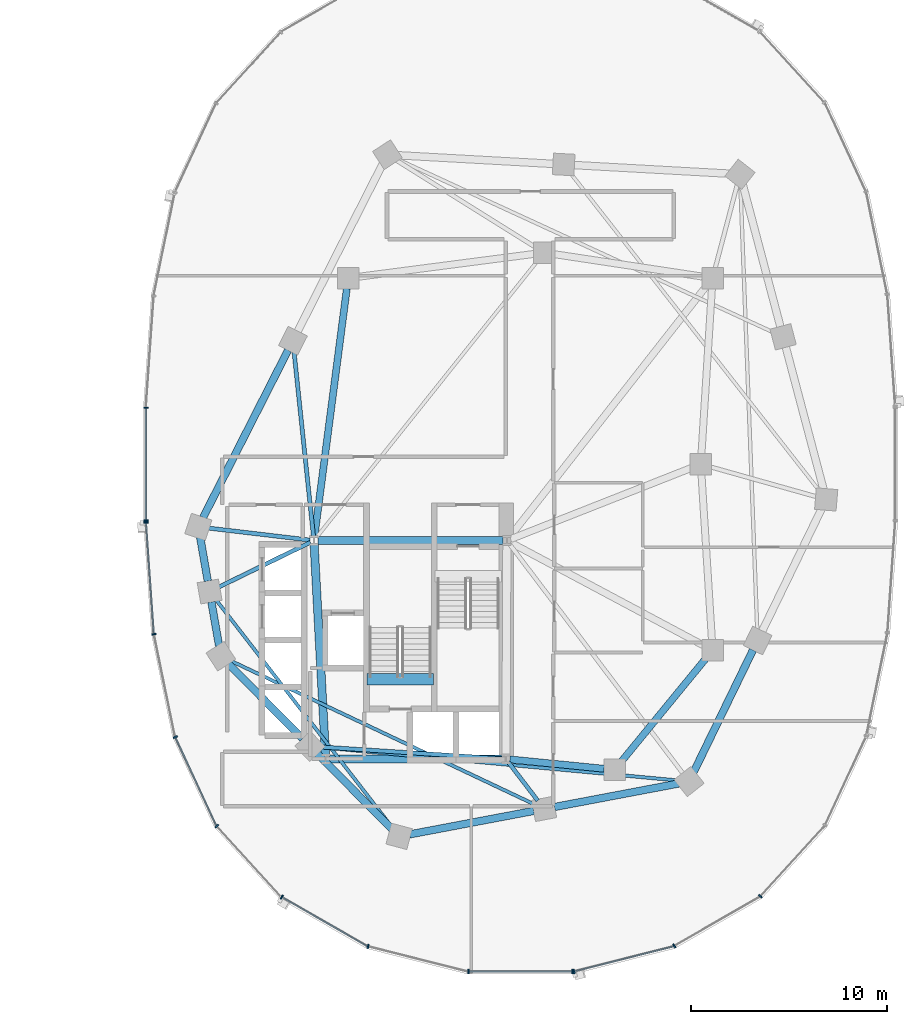
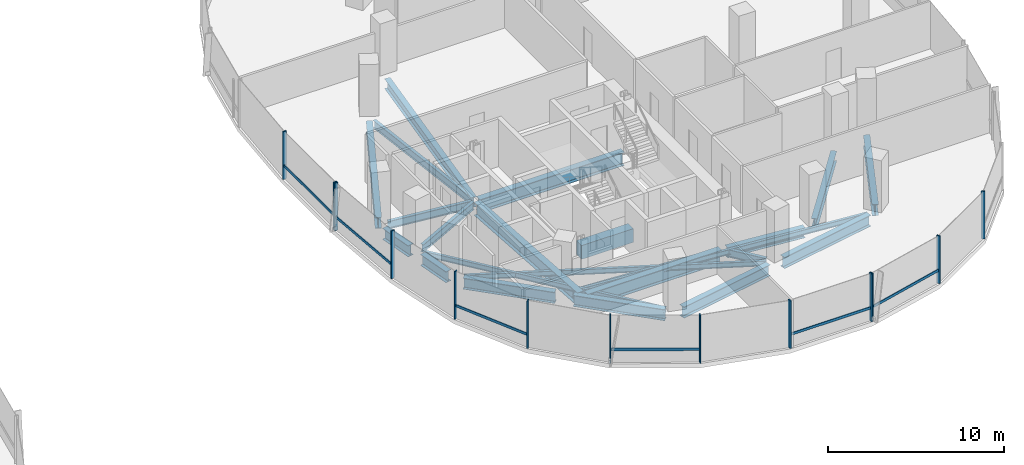
# One storey, part 5 of 21: 23 beams, 19 members, 3 elements without a shape of their own.
"""IFC4 building model written with IfcOpenShell, lengths in metres."""

from ifc_helpers import new_model, si_unit, direction, frame, origin, origin_2d, place, context, subcontext, project, spatial, rectangle, i_section, extrude, material, material_profile, profile_set, type_object, element, aggregate, save


model = new_model("IFC4")

# Units and contexts
model_context = context("Model", 3, precision=1e-05, world=origin(), true_north=direction((0.0, 1.0)))
body_context = subcontext(model_context, "Body", "Model", "MODEL_VIEW")
ifc_project = project(units=[si_unit("LENGTHUNIT", "METRE"), si_unit("AREAUNIT", "SQUARE_METRE"), si_unit("VOLUMEUNIT", "CUBIC_METRE"), si_unit("PLANEANGLEUNIT", "RADIAN"), si_unit("MASSUNIT", "GRAM", prefix="KILO"), si_unit("THERMODYNAMICTEMPERATUREUNIT", "KELVIN"), si_unit("POWERUNIT", "WATT")], contexts=[model_context])

# Site, building, storey
site_placement = place(None, origin())
site = spatial("IfcSite", under=ifc_project, at=site_placement, CompositionType="ELEMENT")
building_placement = place(site_placement, origin())
building = spatial("IfcBuilding", under=site, at=building_placement, Name="Cundina Bronze Exchange", CompositionType="ELEMENT")
storey_placement = place(building_placement, frame((0.0, 0.0, 99.800048828125)))
storey = spatial("IfcBuildingStorey", under=building, at=storey_placement, Name="L25", CompositionType="ELEMENT", Elevation=99.800048828125)

# Beams
ifc_material_1 = material(Name="Concrete C60/75", Category="concrete")
ifc_material_profile_1 = material_profile(ifc_material_1, rectangle(XDim=0.60009765625, YDim=0.949951171875, at=origin_2d()), Name="RC600X950", Category="concrete")
ifc_profile_set_1 = profile_set([ifc_material_profile_1], Name="Concrete C60/75")
beam_type_1 = type_object("IfcBeamType", Name="BM-COUP-RC950", PredefinedType="LINTEL", material=ifc_profile_set_1)
beam_1_placement = place(storey_placement, frame((24.159912109375, -10.97998046875, -0.47509765625), z_axis=(1.0, 0.0, 0.0), x_axis=(0.0, 1.0, 0.0)))
element("IfcBeam", 1, at=beam_1_placement, inside=storey, type_object=beam_type_1, Name="L25 Stair E2 Landing Header Beam", PredefinedType="LINTEL", context=body_context, shape_type="SweptSolid", body=[
    extrude(rectangle(XDim=0.60009765625, YDim=0.949951171875, at=origin_2d()), origin(), (0.0, 0.0, 1.0), 3.400146484375),
])
ifc_material_2 = material(Name="Steel ASTM A992 Grade 50", Category="steel")
ifc_material_profile_2 = material_profile(ifc_material_2, i_section(OverallWidth=0.2099609375, OverallDepth=0.532958984375, WebThickness=0.01025390625, FlangeThickness=0.015625, FilletRadius=0.013916015625, at=origin_2d()), Name="W21X62", Category="steel")
ifc_profile_set_2 = profile_set([ifc_material_profile_2], Name="Steel ASTM A992 Grade 50")
beam_type_2 = type_object("IfcBeamType", Name="BM-FLR-W21B", PredefinedType="BEAM", material=ifc_profile_set_2)
beam_2_placement = place(storey_placement, frame((21.247314453125, -3.8759765625, -0.566650390625), z_axis=(-0.993035701683, 0.117813815752, 0.0), x_axis=(-0.117813815752, -0.993035701683, 0.0)))
element("IfcBeam", 2, at=beam_2_placement, inside=storey, type_object=beam_type_2, Name="L25 Leg E Chordal Floor Beam 00", PredefinedType="BEAM", context=body_context, shape_type="SweptSolid", body=[
    extrude(i_section(OverallWidth=0.2099609375, OverallDepth=0.532958984375, WebThickness=0.01025390625, FlangeThickness=0.015625, FilletRadius=0.013916015625, at=origin_2d()), origin(), (0.0, 0.0, 1.0), 5.19921875),
])
beam_3_placement = place(storey_placement, frame((21.2666015625, -3.989501953125, -0.566650390625), z_axis=(-0.898607246385, -0.438753936443, 0.0), x_axis=(0.438753936443, -0.898607246385, 0.0)))
element("IfcBeam", 3, at=beam_3_placement, inside=storey, type_object=beam_type_2, Name="L25 Leg E Chordal Floor Beam 01", PredefinedType="BEAM", context=body_context, shape_type="SweptSolid", body=[
    extrude(i_section(OverallWidth=0.2099609375, OverallDepth=0.532958984375, WebThickness=0.01025390625, FlangeThickness=0.015625, FilletRadius=0.013916015625, at=origin_2d()), origin(), (0.0, 0.0, 1.0), 5.183837890625),
])
beam_4_placement = place(storey_placement, frame((31.04638671875, -15.036865234375, -0.566650390625), z_axis=(-0.997892901568, 0.064882640211, 0.0), x_axis=(-0.064882640211, -0.997892901568, 0.0)))
element("IfcBeam", 4, at=beam_4_placement, inside=storey, type_object=beam_type_2, Name="L25 Leg E Chordal Floor Beam 03", PredefinedType="BEAM", context=body_context, shape_type="SweptSolid", body=[
    extrude(i_section(OverallWidth=0.2099609375, OverallDepth=0.532958984375, WebThickness=0.01025390625, FlangeThickness=0.015625, FilletRadius=0.013916015625, at=origin_2d()), origin(), (0.0, 0.0, 1.0), 9.279052734375),
])
beam_5_placement = place(storey_placement, frame((31.373779296875, -15.2119140625, -0.566650390625), z_axis=(0.607490490457, -0.79432695032, 0.0), x_axis=(0.79432695032, 0.607490490457, 0.0)))
element("IfcBeam", 5, at=beam_5_placement, inside=storey, type_object=beam_type_2, Name="L25 Leg E Chordal Floor Beam 05", PredefinedType="BEAM", context=body_context, shape_type="SweptSolid", body=[
    extrude(i_section(OverallWidth=0.2099609375, OverallDepth=0.532958984375, WebThickness=0.01025390625, FlangeThickness=0.015625, FilletRadius=0.013916015625, at=origin_2d()), origin(), (0.0, 0.0, 1.0), 2.46826171875),
])
beam_6_placement = place(storey_placement, frame((21.4287109375, -3.697021484375, -0.566650390625), z_axis=(-0.104822364957, 0.994490961148, 0.0), x_axis=(-0.994490961148, -0.104822364957, 0.0)))
element("IfcBeam", 6, at=beam_6_placement, inside=storey, type_object=beam_type_2, Name="L25 Leg E Chordal Floor Beam 13", PredefinedType="BEAM", context=body_context, shape_type="SweptSolid", body=[
    extrude(i_section(OverallWidth=0.2099609375, OverallDepth=0.532958984375, WebThickness=0.01025390625, FlangeThickness=0.015625, FilletRadius=0.013916015625, at=origin_2d()), origin(), (0.0, 0.0, 1.0), 9.514404296875),
])
ifc_material_profile_3 = material_profile(ifc_material_2, i_section(OverallWidth=0.172119140625, OverallDepth=0.35791015625, WebThickness=0.0078125, FlangeThickness=0.01318359375, FilletRadius=0.010009765625, at=origin_2d()), Name="W14X38", Category="steel")
ifc_profile_set_3 = profile_set([ifc_material_profile_3], Name="Steel ASTM A992 Grade 50")
beam_type_3 = type_object("IfcBeamType", Name="BM-JST-W14", PredefinedType="JOIST", material=ifc_profile_set_3)
beam_7_placement = place(storey_placement, frame((16.454345703125, -6.92529296875, -0.47900390625), z_axis=(0.612065218806, -0.790807288742, 0.0), x_axis=(0.790807288742, 0.612065218806, 0.0)))
element("IfcBeam", 7, at=beam_7_placement, inside=storey, type_object=beam_type_3, Name="L25 Leg E Lobe Floor Joist 01-04", PredefinedType="JOIST", context=body_context, shape_type="SweptSolid", body=[
    extrude(i_section(OverallWidth=0.172119140625, OverallDepth=0.35791015625, WebThickness=0.0078125, FlangeThickness=0.01318359375, FilletRadius=0.010009765625, at=origin_2d()), origin(), (0.0, 0.0, 1.0), 14.73095703125),
])
beam_8_placement = place(storey_placement, frame((17.186279296875, -10.02978515625, -0.47900390625), z_axis=(0.904069270633, -0.427385954259, 0.0), x_axis=(0.427385954259, 0.904069270633, 0.0)))
element("IfcBeam", 8, at=beam_8_placement, inside=storey, type_object=beam_type_3, Name="L25 Leg E Lobe Floor Joist 02-05", PredefinedType="JOIST", context=body_context, shape_type="SweptSolid", body=[
    extrude(i_section(OverallWidth=0.172119140625, OverallDepth=0.35791015625, WebThickness=0.0078125, FlangeThickness=0.01318359375, FilletRadius=0.010009765625, at=origin_2d()), origin(), (0.0, 0.0, 1.0), 17.175048828125),
])
beam_9_placement = place(storey_placement, frame((21.78564453125, -14.44970703125, -0.47900390625), z_axis=(0.995700674022, -0.092629194921, 0.0), x_axis=(0.092629194921, 0.995700674022, 0.0)))
element("IfcBeam", 9, at=beam_9_placement, inside=storey, type_object=beam_type_3, Name="L25 Leg E Lobe Floor Joist 03-06", PredefinedType="JOIST", context=body_context, shape_type="SweptSolid", body=[
    extrude(i_section(OverallWidth=0.172119140625, OverallDepth=0.35791015625, WebThickness=0.0078125, FlangeThickness=0.01318359375, FilletRadius=0.010009765625, at=origin_2d()), origin(), (0.0, 0.0, 1.0), 18.357421875),
])
ifc_material_profile_4 = material_profile(ifc_material_2, i_section(OverallWidth=0.35498046875, OverallDepth=0.695068359375, WebThickness=0.015380859375, FlangeThickness=0.02490234375, FilletRadius=0.01806640625, at=origin_2d()), Name="W27X146", Category="steel")
ifc_profile_set_4 = profile_set([ifc_material_profile_4], Name="Steel ASTM A992 Grade 50")
beam_type_4 = type_object("IfcBeamType", Name="BM-RING-W27", PredefinedType="USERDEFINED", material=ifc_profile_set_4)
beam_10_placement = place(storey_placement, frame((31.452880859375, -15.070068359375, -0.6474609375), z_axis=(0.995126271817, -0.098608839051, 0.0), x_axis=(0.098608839051, 0.995126271817, 0.0)))
element("IfcBeam", 10, at=beam_10_placement, inside=storey, type_object=beam_type_4, Name="L25 E Inner Structural Ring Girder 01", ObjectType="GIRDER", PredefinedType="USERDEFINED", context=body_context, shape_type="SweptSolid", body=[
    extrude(i_section(OverallWidth=0.35498046875, OverallDepth=0.695068359375, WebThickness=0.015380859375, FlangeThickness=0.02490234375, FilletRadius=0.01806640625, at=origin_2d()), origin(), (0.0, 0.0, 1.0), 4.83544921875),
])
beam_11_placement = place(storey_placement, frame((37.14111328125, -15.183837890625, -0.6474609375), z_axis=(0.633926549035, 0.773393257295, 0.0), x_axis=(-0.773393257295, 0.633926549035, 0.0)))
element("IfcBeam", 11, at=beam_11_placement, inside=storey, type_object=beam_type_4, Name="L25 E Inner Structural Ring Girder 02", ObjectType="GIRDER", PredefinedType="USERDEFINED", context=body_context, shape_type="SweptSolid", body=[
    extrude(i_section(OverallWidth=0.35498046875, OverallDepth=0.695068359375, WebThickness=0.015380859375, FlangeThickness=0.02490234375, FilletRadius=0.01806640625, at=origin_2d()), origin(), (0.0, 0.0, 1.0), 6.811279296875),
])
beam_12_placement = place(storey_placement, frame((23.13037109375, 8.966552734375, -0.6474609375), z_axis=(-0.129507526533, -0.99157843894, 0.0), x_axis=(0.99157843894, -0.129507526533, 0.0)))
element("IfcBeam", 12, at=beam_12_placement, inside=storey, type_object=beam_type_4, Name="L25 E Inner Structural Ring Girder 07", ObjectType="GIRDER", PredefinedType="USERDEFINED", context=body_context, shape_type="SweptSolid", body=[
    extrude(i_section(OverallWidth=0.35498046875, OverallDepth=0.695068359375, WebThickness=0.015380859375, FlangeThickness=0.02490234375, FilletRadius=0.01806640625, at=origin_2d()), origin(), (0.0, 0.0, 1.0), 12.77197265625),
])
ifc_material_profile_5 = material_profile(ifc_material_2, i_section(OverallWidth=0.381103515625, OverallDepth=0.77294921875, WebThickness=0.0166015625, FlangeThickness=0.027099609375, FilletRadius=0.01904296875, at=origin_2d()), Name="W30X173", Category="steel")
ifc_profile_set_5 = profile_set([ifc_material_profile_5], Name="Steel ASTM A992 Grade 50")
beam_type_5 = type_object("IfcBeamType", Name="BM-RING-W30", PredefinedType="USERDEFINED", material=ifc_profile_set_5)
for number, where, z_axis, x_axis, name in (
    (13, (15.642333984375, -3.72998046875, -0.6865234375), (0.171690078326, -0.985151012284, 0.0), (0.985151012284, 0.171690078326, 0.0), "L25 E Perimeter Ring Girder 00"),
    (14, (16.21728515625, -7.030029296875, -0.6865234375), (0.171690078326, -0.985151012284, 0.0), (0.985151012284, 0.171690078326, 0.0), "L25 E Perimeter Ring Girder 01"),
):
    element("IfcBeam", number, at=place(storey_placement, frame(where, z_axis=z_axis, x_axis=x_axis)), inside=storey, type_object=beam_type_5, Name=name, ObjectType="GIRDER", PredefinedType="USERDEFINED", context=body_context, shape_type="SweptSolid", body=[
        extrude(i_section(OverallWidth=0.381103515625, OverallDepth=0.77294921875, WebThickness=0.0166015625, FlangeThickness=0.027099609375, FilletRadius=0.01904296875, at=origin_2d()), origin(), (0.0, 0.0, 1.0), 2.273681640625),
    ])
for number, where, z_axis, x_axis, name in (
    (15, (17.078369140625, -10.1826171875, -0.6865234375), (0.703226342126, -0.7109660412, 0.0), (0.7109660412, 0.703226342126, 0.0), "L25 E Perimeter Ring Girder 02"),
    (16, (21.62841796875, -14.782470703125, -0.6865234375), (0.703226342126, -0.7109660412, 0.0), (0.7109660412, 0.703226342126, 0.0), "L25 E Perimeter Ring Girder 03"),
):
    element("IfcBeam", number, at=place(storey_placement, frame(where, z_axis=z_axis, x_axis=x_axis)), inside=storey, type_object=beam_type_5, Name=name, ObjectType="GIRDER", PredefinedType="USERDEFINED", context=body_context, shape_type="SweptSolid", body=[
        extrude(i_section(OverallWidth=0.381103515625, OverallDepth=0.77294921875, WebThickness=0.0166015625, FlangeThickness=0.027099609375, FilletRadius=0.01904296875, at=origin_2d()), origin(), (0.0, 0.0, 1.0), 5.39404296875),
    ])
for number, where, z_axis, x_axis, name in (
    (17, (26.32861328125, -18.89990234375, -0.6865234375), (0.98257117919, 0.185886733861, 0.0), (-0.185886733861, 0.98257117919, 0.0), "L25 E Perimeter Ring Girder 04"),
    (18, (33.728515625, -17.5, -0.6865234375), (0.98257117919, 0.185886733861, 0.0), (-0.185886733861, 0.98257117919, 0.0), "L25 E Perimeter Ring Girder 05"),
):
    element("IfcBeam", number, at=place(storey_placement, frame(where, z_axis=z_axis, x_axis=x_axis)), inside=storey, type_object=beam_type_5, Name=name, ObjectType="GIRDER", PredefinedType="USERDEFINED", context=body_context, shape_type="SweptSolid", body=[
        extrude(i_section(OverallWidth=0.381103515625, OverallDepth=0.77294921875, WebThickness=0.0166015625, FlangeThickness=0.027099609375, FilletRadius=0.01904296875, at=origin_2d()), origin(), (0.0, 0.0, 1.0), 6.455322265625),
    ])
beam_13_placement = place(storey_placement, frame((40.835205078125, -15.716064453125, -0.6865234375), z_axis=(0.437193894283, 0.899367276924, 0.0), x_axis=(-0.899367276924, 0.437193894283, 0.0)))
element("IfcBeam", 19, at=beam_13_placement, inside=storey, type_object=beam_type_5, Name="L25 E Perimeter Ring Girder 06", ObjectType="GIRDER", PredefinedType="USERDEFINED", context=body_context, shape_type="SweptSolid", body=[
    extrude(i_section(OverallWidth=0.381103515625, OverallDepth=0.77294921875, WebThickness=0.0166015625, FlangeThickness=0.027099609375, FilletRadius=0.01904296875, at=origin_2d()), origin(), (0.0, 0.0, 1.0), 6.929443359375),
])
beam_14_placement = place(storey_placement, frame((20.13134765625, 5.8203125, -0.6865234375), z_axis=(-0.452832332744, -0.891595692241, 0.0), x_axis=(0.891595692241, -0.452832332744, 0.0)))
element("IfcBeam", 20, at=beam_14_placement, inside=storey, type_object=beam_type_5, Name="L25 E Perimeter Ring Girder 13", ObjectType="GIRDER", PredefinedType="USERDEFINED", context=body_context, shape_type="SweptSolid", body=[
    extrude(i_section(OverallWidth=0.381103515625, OverallDepth=0.77294921875, WebThickness=0.0166015625, FlangeThickness=0.027099609375, FilletRadius=0.01904296875, at=origin_2d()), origin(), (0.0, 0.0, 1.0), 9.578857421875),
])
ifc_material_profile_6 = material_profile(ifc_material_2, i_section(OverallWidth=0.41796875, OverallDepth=0.927001953125, WebThickness=0.019287109375, FlangeThickness=0.031982421875, FilletRadius=0.02392578125, at=origin_2d()), Name="W36X231", Category="steel")
ifc_profile_set_6 = profile_set([ifc_material_profile_6], Name="Steel ASTM A992 Grade 50")
beam_type_6 = type_object("IfcBeamType", Name="BM-WRN-W36B", PredefinedType="USERDEFINED", material=ifc_profile_set_6)
beam_15_placement = place(storey_placement, frame((31.095947265625, -3.89990234375, -0.763427734375), z_axis=(-1.0, 0.0, 0.0), x_axis=(0.0, -1.0, 0.0)))
element("IfcBeam", 21, at=beam_15_placement, inside=storey, type_object=beam_type_6, Name="L25 E Core Perimeter Tie Girder 1", ObjectType="GIRDER", PredefinedType="USERDEFINED", context=body_context, shape_type="SweptSolid", body=[
    extrude(i_section(OverallWidth=0.41796875, OverallDepth=0.927001953125, WebThickness=0.019287109375, FlangeThickness=0.031982421875, FilletRadius=0.02392578125, at=origin_2d()), origin(), (0.0, 0.0, 1.0), 9.44189453125),
])
beam_16_placement = place(storey_placement, frame((21.4609375, -4.103759765625, -0.763427734375), z_axis=(0.053739193498, -0.998555005537, 0.0), x_axis=(0.998555005537, 0.053739193498, 0.0)))
element("IfcBeam", 22, at=beam_16_placement, inside=storey, type_object=beam_type_6, Name="L25 E Core Perimeter Tie Girder 2", ObjectType="GIRDER", PredefinedType="USERDEFINED", context=body_context, shape_type="SweptSolid", body=[
    extrude(i_section(OverallWidth=0.41796875, OverallDepth=0.927001953125, WebThickness=0.019287109375, FlangeThickness=0.031982421875, FilletRadius=0.02392578125, at=origin_2d()), origin(), (0.0, 0.0, 1.0), 10.758056640625),
])
beam_17_placement = place(storey_placement, frame((22.25390625, -15.050048828125, -0.763427734375), z_axis=(1.0, 0.0, 0.0), x_axis=(0.0, 1.0, 0.0)))
element("IfcBeam", 23, at=beam_17_placement, inside=storey, type_object=beam_type_6, Name="L25 E Core Perimeter Tie Girder 3", ObjectType="GIRDER", PredefinedType="USERDEFINED", context=body_context, shape_type="SweptSolid", body=[
    extrude(i_section(OverallWidth=0.41796875, OverallDepth=0.927001953125, WebThickness=0.019287109375, FlangeThickness=0.031982421875, FilletRadius=0.02392578125, at=origin_2d()), origin(), (0.0, 0.0, 1.0), 8.7919921875),
])

# Curtain wall, members
ifc_material_3 = material(Name="Anodised Bronze Aluminium 6063-T6", Category="aluminium")
curtain_wall_type = type_object("IfcCurtainWallType", Name="CWS-TRD-MID", PredefinedType="NOTDEFINED", material=ifc_material_3)
curtain_wall_1_placement = place(storey_placement, origin())
curtain_wall_1 = element("IfcCurtainWall", 24, at=curtain_wall_1_placement, inside=storey, type_object=curtain_wall_type, Name="L25 CW-03 Curtain Wall Run CWR-L25-E2", PredefinedType="NOTDEFINED")
ifc_material_profile_7 = material_profile(ifc_material_3, rectangle(XDim=0.074951171875, YDim=0.219970703125, at=origin_2d()), Name="AL75X220", Category="aluminium")
ifc_profile_set_7 = profile_set([ifc_material_profile_7], Name="Anodised Bronze Aluminium 6063-T6")
member_type_1 = type_object("IfcMemberType", Name="CWM-MUL-220", PredefinedType="MULLION", material=ifc_profile_set_7)
member_1_placement = place(storey_placement, frame((12.8720703125, 2.880615234375, 0.0), z_axis=(0.0, 0.0, 1.0), x_axis=(0.0, -1.0, 0.0)))
member_1 = element("IfcMember", 25, at=member_1_placement, type_object=member_type_1, Name="CW-03 Mullion 7", PredefinedType="MULLION", context=body_context, shape_type="SweptSolid", body=[
    extrude(rectangle(XDim=0.074951171875, YDim=0.219970703125, at=origin_2d()), origin(), (0.0, 0.0, 1.0), 3.300048828125),
])
member_2_placement = place(storey_placement, frame((12.8720703125, -2.880615234375, 0.0), z_axis=(0.0, 0.0, 1.0), x_axis=(0.0, -1.0, 0.0)))
member_2 = element("IfcMember", 26, at=member_2_placement, type_object=member_type_1, Name="CW-03 End Mullion", PredefinedType="MULLION", context=body_context, shape_type="SweptSolid", body=[
    extrude(rectangle(XDim=0.074951171875, YDim=0.219970703125, at=origin_2d()), origin(), (0.0, 0.0, 1.0), 3.300048828125),
])

curtain_wall_2_placement = place(storey_placement, origin())
curtain_wall_2 = element("IfcCurtainWall", 27, at=curtain_wall_2_placement, inside=storey, type_object=curtain_wall_type, Name="L25 CW-03 Curtain Wall Run CWR-L25-E3", PredefinedType="NOTDEFINED")
member_3_placement = place(storey_placement, frame((12.87548828125, -2.976318359375, 0.0), z_axis=(0.0, 0.0, 1.0), x_axis=(0.070278787473, -0.997527389113, 0.0)))
member_3 = element("IfcMember", 28, at=member_3_placement, type_object=member_type_1, Name="CW-03 Mullion 1", PredefinedType="MULLION", context=body_context, shape_type="SweptSolid", body=[
    extrude(rectangle(XDim=0.074951171875, YDim=0.219970703125, at=origin_2d()), origin(), (0.0, 0.0, 1.0), 3.300048828125),
])
member_4_placement = place(storey_placement, frame((13.282958984375, -8.67822265625, 0.0), z_axis=(0.0, 0.0, 1.0), x_axis=(0.201419845156, -0.979505000486, 0.0)))
member_4 = element("IfcMember", 29, at=member_4_placement, type_object=member_type_1, Name="CW-03 Mullion 2", PredefinedType="MULLION", context=body_context, shape_type="SweptSolid", body=[
    extrude(rectangle(XDim=0.074951171875, YDim=0.219970703125, at=origin_2d()), origin(), (0.0, 0.0, 1.0), 3.300048828125),
])
member_5_placement = place(storey_placement, frame((14.3720703125, -13.931884765625, 0.0), z_axis=(0.0, 0.0, 1.0), x_axis=(0.42087749791, -0.907117485088, 0.0)))
member_5 = element("IfcMember", 30, at=member_5_placement, type_object=member_type_1, Name="CW-03 Mullion 3", PredefinedType="MULLION", context=body_context, shape_type="SweptSolid", body=[
    extrude(rectangle(XDim=0.074951171875, YDim=0.219970703125, at=origin_2d()), origin(), (0.0, 0.0, 1.0), 3.300048828125),
])
member_6_placement = place(storey_placement, frame((16.491455078125, -18.47705078125, 0.0), z_axis=(0.0, 0.0, 1.0), x_axis=(0.674302387584, -0.738455340626, 0.0)))
member_6 = element("IfcMember", 31, at=member_6_placement, type_object=member_type_1, Name="CW-03 Mullion 4", PredefinedType="MULLION", context=body_context, shape_type="SweptSolid", body=[
    extrude(rectangle(XDim=0.074951171875, YDim=0.219970703125, at=origin_2d()), origin(), (0.0, 0.0, 1.0), 3.300048828125),
])
member_7_placement = place(storey_placement, frame((19.810302734375, -22.097412109375, 0.0), z_axis=(0.0, 0.0, 1.0), x_axis=(0.867070701164, -0.498185105339, 0.0)))
member_7 = element("IfcMember", 32, at=member_7_placement, type_object=member_type_1, Name="CW-03 Mullion 5", PredefinedType="MULLION", context=body_context, shape_type="SweptSolid", body=[
    extrude(rectangle(XDim=0.074951171875, YDim=0.219970703125, at=origin_2d()), origin(), (0.0, 0.0, 1.0), 3.300048828125),
])
member_8_placement = place(storey_placement, frame((24.21484375, -24.61669921875, 0.0), z_axis=(0.0, 0.0, 1.0), x_axis=(0.969488149345, -0.245138182011, 0.0)))
member_8 = element("IfcMember", 33, at=member_8_placement, type_object=member_type_1, Name="CW-03 Mullion 6", PredefinedType="MULLION", context=body_context, shape_type="SweptSolid", body=[
    extrude(rectangle(XDim=0.074951171875, YDim=0.219970703125, at=origin_2d()), origin(), (0.0, 0.0, 1.0), 3.300048828125),
])
member_9_placement = place(storey_placement, frame((29.345458984375, -25.905029296875, 0.0), z_axis=(0.0, 0.0, 1.0), x_axis=(1.0, 0.0, 0.0)))
member_9 = element("IfcMember", 34, at=member_9_placement, type_object=member_type_1, Name="CW-03 Mullion 7", PredefinedType="MULLION", context=body_context, shape_type="SweptSolid", body=[
    extrude(rectangle(XDim=0.074951171875, YDim=0.219970703125, at=origin_2d()), origin(), (0.0, 0.0, 1.0), 3.300048828125),
])
member_10_placement = place(storey_placement, frame((34.654541015625, -25.905029296875, 0.0), z_axis=(0.0, 0.0, 1.0), x_axis=(1.0, 0.0, 0.0)))
member_10 = element("IfcMember", 35, at=member_10_placement, type_object=member_type_1, Name="CW-03 End Mullion", PredefinedType="MULLION", context=body_context, shape_type="SweptSolid", body=[
    extrude(rectangle(XDim=0.074951171875, YDim=0.219970703125, at=origin_2d()), origin(), (0.0, 0.0, 1.0), 3.300048828125),
])

curtain_wall_3_placement = place(storey_placement, origin())
curtain_wall_3 = element("IfcCurtainWall", 36, at=curtain_wall_3_placement, inside=storey, type_object=curtain_wall_type, Name="L25 CW-03 Curtain Wall Run CWR-L25-E4", PredefinedType="NOTDEFINED")
member_11_placement = place(storey_placement, frame((34.72607421875, -25.89599609375, 0.0), z_axis=(0.0, 0.0, 1.0), x_axis=(0.969488149345, 0.245138182011, 0.0)))
member_11 = element("IfcMember", 37, at=member_11_placement, type_object=member_type_1, Name="CW-03 Mullion 1", PredefinedType="MULLION", context=body_context, shape_type="SweptSolid", body=[
    extrude(rectangle(XDim=0.074951171875, YDim=0.219970703125, at=origin_2d()), origin(), (0.0, 0.0, 1.0), 3.300048828125),
])
member_12_placement = place(storey_placement, frame((39.848876953125, -24.591064453125, 0.0), z_axis=(0.0, 0.0, 1.0), x_axis=(0.867070701164, 0.498185105339, 0.0)))
member_12 = element("IfcMember", 38, at=member_12_placement, type_object=member_type_1, Name="CW-03 Mullion 2", PredefinedType="MULLION", context=body_context, shape_type="SweptSolid", body=[
    extrude(rectangle(XDim=0.074951171875, YDim=0.219970703125, at=origin_2d()), origin(), (0.0, 0.0, 1.0), 3.300048828125),
])
member_13_placement = place(storey_placement, frame((44.239501953125, -22.0576171875, 0.0), z_axis=(0.0, 0.0, 1.0), x_axis=(0.674302387584, 0.738455340626, 0.0)))
member_13 = element("IfcMember", 39, at=member_13_placement, type_object=member_type_1, Name="CW-03 Mullion 3", PredefinedType="MULLION", context=body_context, shape_type="SweptSolid", body=[
    extrude(rectangle(XDim=0.074951171875, YDim=0.219970703125, at=origin_2d()), origin(), (0.0, 0.0, 1.0), 3.300048828125),
])

# Member
ifc_material_profile_8 = material_profile(ifc_material_3, rectangle(XDim=0.070068359375, YDim=0.179931640625, at=origin_2d()), Name="AL70X180", Category="aluminium")
ifc_profile_set_8 = profile_set([ifc_material_profile_8], Name="Anodised Bronze Aluminium 6063-T6")
member_type_2 = type_object("IfcMemberType", Name="CWM-TRN-180", PredefinedType="USERDEFINED", material=ifc_profile_set_8)
member_14_placement = place(storey_placement, frame((12.8720703125, 2.839111328125, 0.919921875), z_axis=(0.0, -1.0, 0.0), x_axis=(1.0, 0.0, 0.0)))
member_14 = element("IfcMember", 40, at=member_14_placement, type_object=member_type_2, Name="CW-03 Spandrel Transom 7", ObjectType="TRANSOM", PredefinedType="USERDEFINED", context=body_context, shape_type="SweptSolid", body=[
    extrude(rectangle(XDim=0.070068359375, YDim=0.179931640625, at=origin_2d()), origin(), (0.0, 0.0, 1.0), 5.67822265625),
])

aggregate(curtain_wall_1, [member_1, member_2, member_14])

member_15_placement = place(storey_placement, frame((12.87841796875, -3.017333984375, 0.919921875), z_axis=(0.070260714471, -0.997528662246, 0.0), x_axis=(0.997528662246, 0.070260714471, 0.0)))
member_15 = element("IfcMember", 41, at=member_15_placement, type_object=member_type_2, Name="CW-03 Spandrel Transom 1", ObjectType="TRANSOM", PredefinedType="USERDEFINED", context=body_context, shape_type="SweptSolid", body=[
    extrude(rectangle(XDim=0.070068359375, YDim=0.179931640625, at=origin_2d()), origin(), (0.0, 0.0, 1.0), 5.629150390625),
])

member_16_placement = place(storey_placement, frame((14.389404296875, -13.96923828125, 0.919921875), z_axis=(0.420811422796, -0.907148139195, 0.0), x_axis=(0.907148139195, 0.420811422796, 0.0)))
member_16 = element("IfcMember", 42, at=member_16_placement, type_object=member_type_2, Name="CW-03 Spandrel Transom 3", ObjectType="TRANSOM", PredefinedType="USERDEFINED", context=body_context, shape_type="SweptSolid", body=[
    extrude(rectangle(XDim=0.070068359375, YDim=0.179931640625, at=origin_2d()), origin(), (0.0, 0.0, 1.0), 4.95166015625),
])

member_17_placement = place(storey_placement, frame((19.845947265625, -22.117919921875, 0.919921875), z_axis=(0.867097475651, -0.498138502546, 0.0), x_axis=(0.498138502546, 0.867097475651, 0.0)))
member_17 = element("IfcMember", 43, at=member_17_placement, type_object=member_type_2, Name="CW-03 Spandrel Transom 5", ObjectType="TRANSOM", PredefinedType="USERDEFINED", context=body_context, shape_type="SweptSolid", body=[
    extrude(rectangle(XDim=0.070068359375, YDim=0.179931640625, at=origin_2d()), origin(), (0.0, 0.0, 1.0), 5.00634765625),
])

member_18_placement = place(storey_placement, frame((29.38671875, -25.905029296875, 0.919921875), z_axis=(1.0, 0.0, 0.0), x_axis=(0.0, 1.0, 0.0)))
member_18 = element("IfcMember", 44, at=member_18_placement, type_object=member_type_2, Name="CW-03 Spandrel Transom 7", ObjectType="TRANSOM", PredefinedType="USERDEFINED", context=body_context, shape_type="SweptSolid", body=[
    extrude(rectangle(XDim=0.070068359375, YDim=0.179931640625, at=origin_2d()), origin(), (0.0, 0.0, 1.0), 5.2265625),
])

aggregate(curtain_wall_2, [member_3, member_15, member_4, member_5, member_16, member_6, member_7, member_17, member_8, member_9, member_10, member_18])

member_19_placement = place(storey_placement, frame((34.76611328125, -25.885986328125, 0.919921875), z_axis=(0.969483968866, 0.245154714644, 0.0), x_axis=(-0.245154714644, 0.969483968866, 0.0)))
member_19 = element("IfcMember", 45, at=member_19_placement, type_object=member_type_2, Name="CW-03 Spandrel Transom 1", ObjectType="TRANSOM", PredefinedType="USERDEFINED", context=body_context, shape_type="SweptSolid", body=[
    extrude(rectangle(XDim=0.070068359375, YDim=0.179931640625, at=origin_2d()), origin(), (0.0, 0.0, 1.0), 5.21826171875),
])

aggregate(curtain_wall_3, [member_11, member_19, member_12, member_13])

save(model, "model.ifc")
